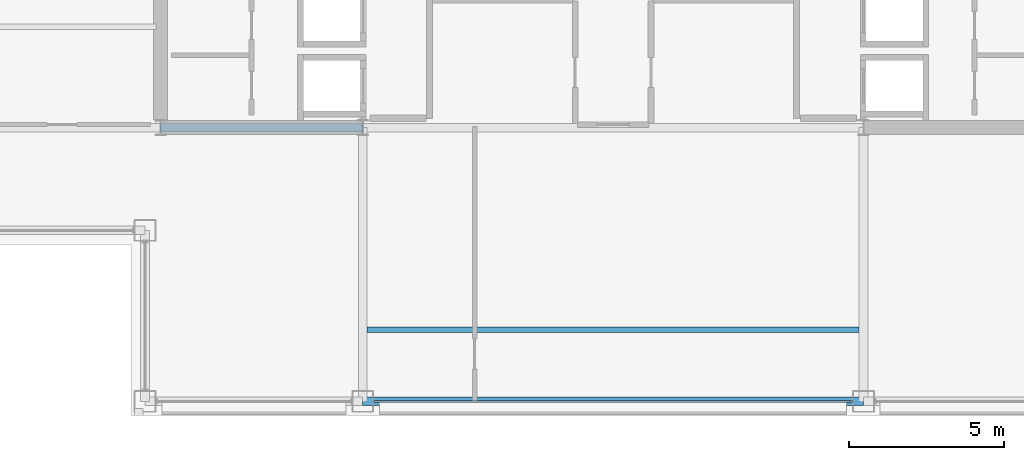
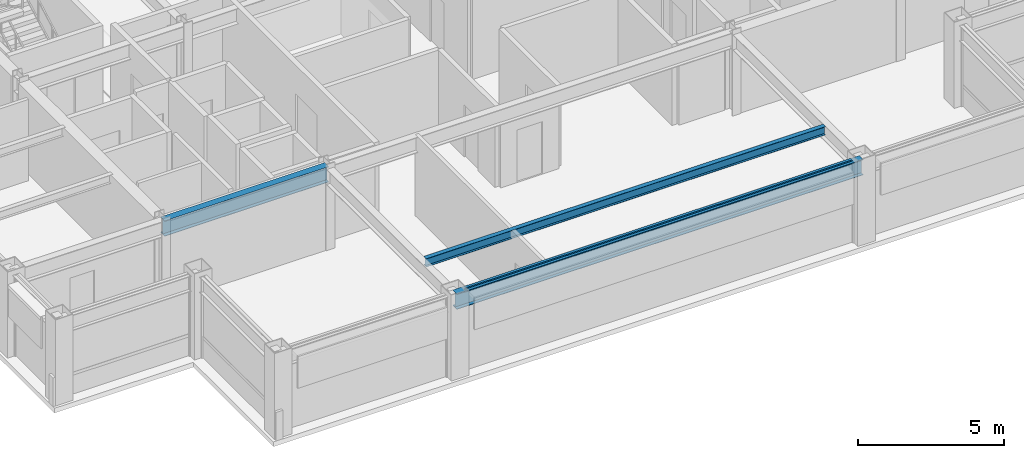
# One storey, part 5 of 28: 3 beams, 1 member, 1 element without a shape of its own.
"""IFC4 building model written with IfcOpenShell, lengths in metres."""

from ifc_helpers import new_model, si_unit, direction, frame, origin, origin_2d, place, context, subcontext, project, spatial, hollow_rectangle, i_section, extrude, material, layer, layer_set, material_profile, profile_set, type_object, element, aggregate, save


model = new_model("IFC4")

# Units and contexts
model_context = context("Model", 3, precision=1e-05, world=origin(), true_north=direction((0.0, 1.0)))
body_context = subcontext(model_context, "Body", "Model", "MODEL_VIEW")
ifc_project = project(units=[si_unit("LENGTHUNIT", "METRE"), si_unit("AREAUNIT", "SQUARE_METRE"), si_unit("VOLUMEUNIT", "CUBIC_METRE"), si_unit("PLANEANGLEUNIT", "RADIAN"), si_unit("MASSUNIT", "GRAM", prefix="KILO")], contexts=[model_context])

# Site, building, storey
site_placement = place(None, origin())
site = spatial("IfcSite", under=ifc_project, at=site_placement, CompositionType="ELEMENT")
building_placement = place(site_placement, origin())
building = spatial("IfcBuilding", under=site, at=building_placement, Name="Brelmoor Portico Tower", CompositionType="ELEMENT")
storey_placement = place(building_placement, frame((0.0, 0.0, 191.10009765625)))
storey = spatial("IfcBuildingStorey", under=building, at=storey_placement, Name="L50", CompositionType="ELEMENT", Elevation=191.10009765625)

# Beams
ifc_material_1 = material(Name="Steel Q355B", Category="steel")
ifc_material_profile_1 = material_profile(ifc_material_1, i_section(OverallWidth=0.175048828125, OverallDepth=0.35009765625, WebThickness=0.007080078125, FlangeThickness=0.010986328125, at=origin_2d()), Name="HN 350x175x7x11")
ifc_profile_set_1 = profile_set([ifc_material_profile_1], Name="Steel Q355B")
beam_type_1 = type_object("IfcBeamType", Name="BM-JS-350", PredefinedType="JOIST", material=ifc_profile_set_1)
beam_1_placement = place(storey_placement, frame((-7.909912109375, -16.25, 3.224853515625), z_axis=(1.0, 0.0, 0.0), x_axis=(0.0, 1.0, 0.0)))
element("IfcBeam", 1, at=beam_1_placement, inside=storey, type_object=beam_type_1, Name="L50 Secondary Composite Joist JS-C01", PredefinedType="JOIST", context=body_context, shape_type="SweptSolid", body=[
    extrude(i_section(OverallWidth=0.175048828125, OverallDepth=0.35009765625, WebThickness=0.007080078125, FlangeThickness=0.010986328125, at=origin_2d()), origin(), (0.0, 0.0, 1.0), 15.81982421875),
])
ifc_material_profile_2 = material_profile(ifc_material_1, i_section(OverallWidth=0.280029296875, OverallDepth=0.64990234375, WebThickness=0.012939453125, FlangeThickness=0.02197265625, at=origin_2d()), Name="HN 650x280x13x22")
ifc_profile_set_2 = profile_set([ifc_material_profile_2], Name="Steel Q355B")
beam_type_2 = type_object("IfcBeamType", Name="BM-PG-650", PredefinedType="BEAM", material=ifc_profile_set_2)
beam_2_placement = place(storey_placement, frame((-14.550048828125, -9.75, 3.074951171875), z_axis=(1.0, 0.0, 0.0), x_axis=(0.0, 1.0, 0.0)))
element("IfcBeam", 2, at=beam_2_placement, inside=storey, type_object=beam_type_2, Name="L50 Primary Floor Girder PG-12", PredefinedType="BEAM", context=body_context, shape_type="SweptSolid", body=[
    extrude(i_section(OverallWidth=0.280029296875, OverallDepth=0.64990234375, WebThickness=0.012939453125, FlangeThickness=0.02197265625, at=origin_2d()), origin(), (0.0, 0.0, 1.0), 6.5),
])
ifc_material_profile_3 = material_profile(ifc_material_1, i_section(OverallWidth=0.280029296875, OverallDepth=0.64990234375, WebThickness=0.012939453125, FlangeThickness=0.02197265625, at=origin_2d()), Name="HN 650x280x13x22")
ifc_profile_set_3 = profile_set([ifc_material_profile_3], Name="Steel Q355B")
beam_type_3 = type_object("IfcBeamType", Name="BM-SP-650", PredefinedType="SPANDREL", material=ifc_profile_set_3)
beam_3_placement = place(storey_placement, frame((-8.050048828125, -18.550048828125, 3.074951171875), z_axis=(1.0, 0.0, 0.0), x_axis=(0.0, 1.0, 0.0)))
element("IfcBeam", 3, at=beam_3_placement, inside=storey, type_object=beam_type_3, Name="L50 Perimeter Spandrel Beam SP-02", PredefinedType="SPANDREL", context=body_context, shape_type="SweptSolid", body=[
    extrude(i_section(OverallWidth=0.280029296875, OverallDepth=0.64990234375, WebThickness=0.012939453125, FlangeThickness=0.02197265625, at=origin_2d()), origin(), (0.0, 0.0, 1.0), 16.10009765625),
])

# Curtain wall, member
ifc_material_2 = material(Name="Anodised Aluminium Alloy 6063-T6", Category="aluminium")
ifc_layer = layer(ifc_material_2, 0.179931640625)
ifc_layer_set = layer_set([ifc_layer], Name="Anodised Aluminium Alloy 6063-T6")
curtain_wall_type = type_object("IfcCurtainWallType", Name="CW-TOWER-Z3-XB", PredefinedType="NOTDEFINED", material=ifc_layer_set)
curtain_wall_placement = place(storey_placement, origin())
curtain_wall = element("IfcCurtainWall", 4, at=curtain_wall_placement, inside=storey, type_object=curtain_wall_type, Name="L50 Curtain Wall CW-L50-01-2", PredefinedType="NOTDEFINED")
ifc_material_profile_4 = material_profile(ifc_material_2, hollow_rectangle(XDim=0.06005859375, YDim=0.125, WallThickness=0.00341796875, at=origin_2d()), Name="ALU TRANSOM 60x125")
ifc_profile_set_4 = profile_set([ifc_material_profile_4], Name="Anodised Aluminium Alloy 6063-T6")
member_type = type_object("IfcMemberType", Name="MB-CW-TRAN-125", PredefinedType="USERDEFINED", material=ifc_profile_set_4)
member_placement = place(storey_placement, frame((-7.68994140625, -18.550048828125, 3.33740234375), z_axis=(1.0, 0.0, 0.0), x_axis=(0.0, 1.0, 0.0)))
member = element("IfcMember", 5, at=member_placement, type_object=member_type, Name="CW-L50-01-2 Transom 1-00", ObjectType="TRANSOM", PredefinedType="USERDEFINED", context=body_context, shape_type="SweptSolid", body=[
    extrude(hollow_rectangle(XDim=0.06005859375, YDim=0.125, WallThickness=0.00341796875, at=origin_2d()), origin(), (0.0, 0.0, 1.0), 15.3798828125),
])
aggregate(curtain_wall, [member])

save(model, "model.ifc")
